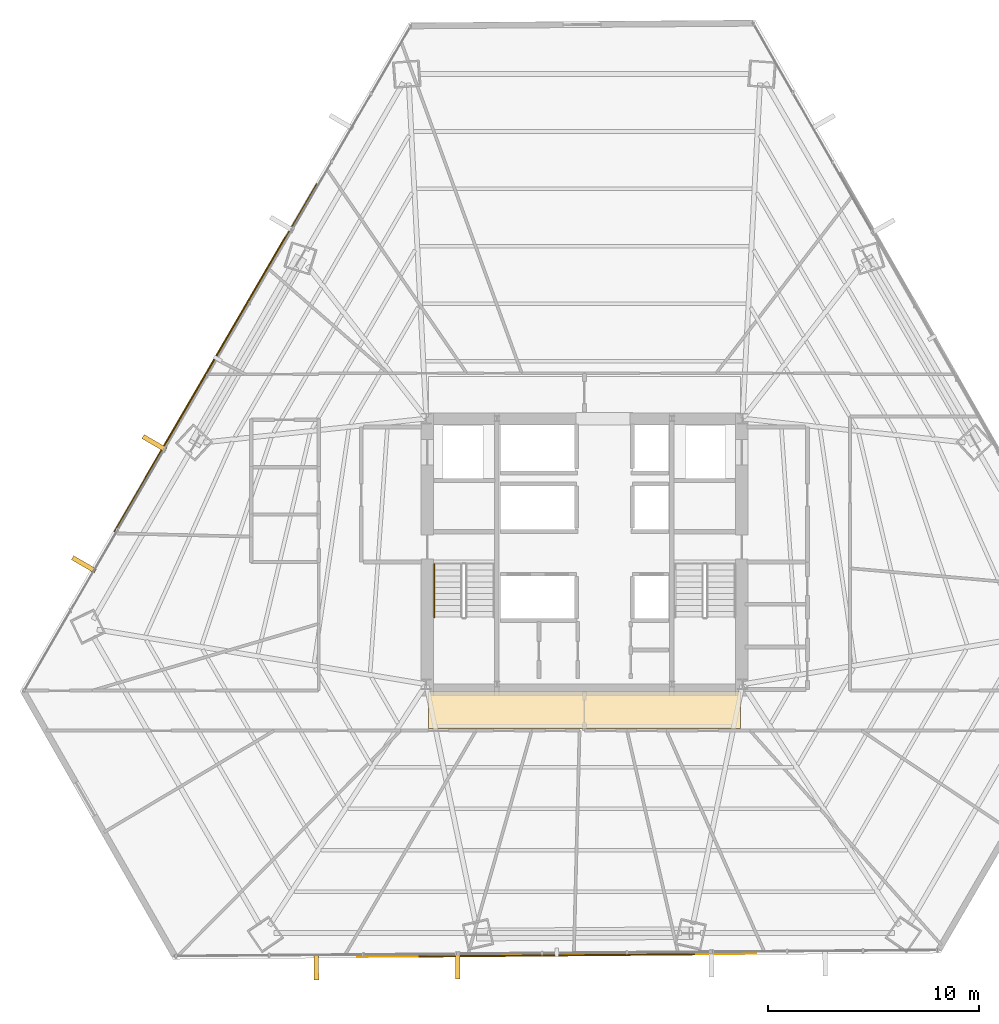
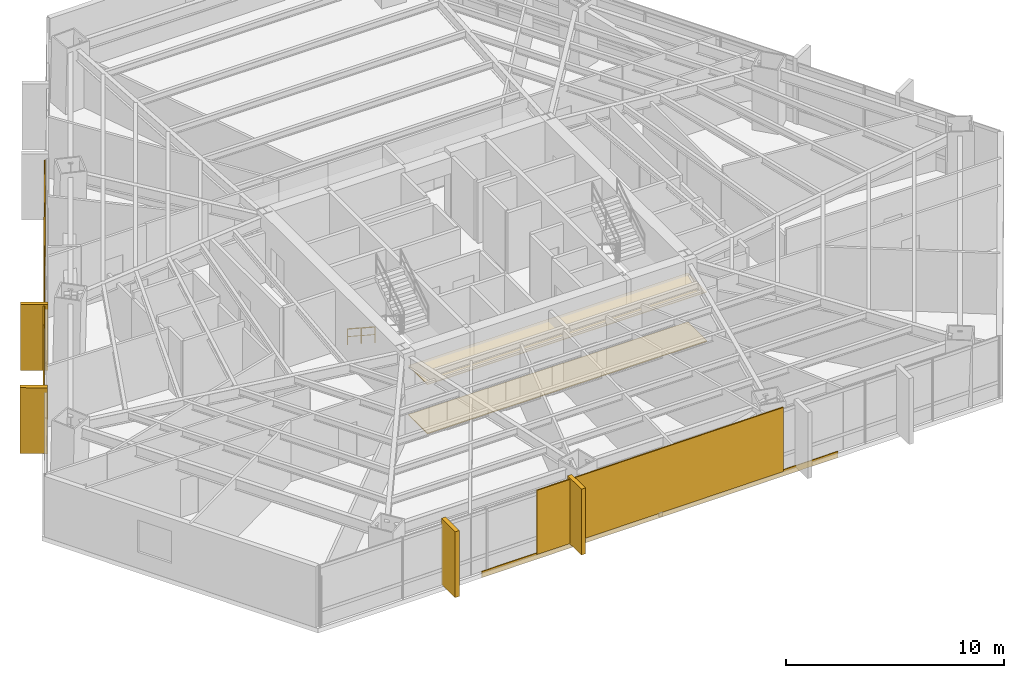
# One storey, part 34 of 36: 8 coverings, 2 shading devices, 1 railing.
"""IFC4 building model written with IfcOpenShell, lengths in metres."""

from ifc_helpers import new_model, si_unit, direction, frame, origin, origin_2d, place, context, subcontext, project, spatial, polyline, rectangle, outline, extrude, source, transform, mapped, material, layer, layer_set, type_object, type_shapes, element, save


model = new_model("IFC4")

# Units and contexts
model_context = context("Model", 3, precision=1e-05, world=origin(), true_north=direction((0.0, 1.0)))
body_context = subcontext(model_context, "Body", "Model", "MODEL_VIEW")
ifc_project = project(units=[si_unit("LENGTHUNIT", "METRE"), si_unit("AREAUNIT", "SQUARE_METRE"), si_unit("VOLUMEUNIT", "CUBIC_METRE"), si_unit("PLANEANGLEUNIT", "RADIAN"), si_unit("MASSUNIT", "GRAM", prefix="KILO")], contexts=[model_context])

# Site, building, storey
site_placement = place(None, origin())
site = spatial("IfcSite", under=ifc_project, at=site_placement, CompositionType="ELEMENT")
building_placement = place(site_placement, origin())
building = spatial("IfcBuilding", under=site, at=building_placement, Name="Caelisora Broadcast Tower", CompositionType="ELEMENT")
storey_placement = place(building_placement, frame((0.0, 0.0, 64.10009765625)))
storey = spatial("IfcBuildingStorey", under=building, at=storey_placement, Name="L16", CompositionType="ELEMENT", Elevation=64.10009765625)

# Coverings
ifc_material_1 = material(Name="Perforated Mineral-Fibre Acoustic Ceiling Tile", Category="gypsum")
ifc_layer_1 = layer(ifc_material_1, 0.034912109375, Name="Perforated Mineral-Fibre Acoustic Ceiling Tile")
ifc_layer_set_1 = layer_set([ifc_layer_1], Name="Perforated Mineral-Fibre Acoustic Ceiling Tile")
covering_type_1 = type_object("IfcCoveringType", Name="CE-1", PredefinedType="CEILING", material=ifc_layer_set_1)
covering_1_placement = place(storey_placement, frame((0.0, 0.0, 2.75)))
element("IfcCovering", 1, at=covering_1_placement, inside=storey, type_object=covering_type_1, Name="L16 acoustic corridor ceiling CE-1 (S)", PredefinedType="CEILING", context=body_context, shape_type="SweptSolid", body=[
    extrude(outline(polyline([(30.60009765625, 15.300048828125), (45.39990234375, 15.300048828125), (45.39990234375, 17.050048828125), (30.60009765625, 17.050048828125), (30.60009765625, 15.300048828125)])), origin(), (0.0, 0.0, 1.0), 0.034912109375),
])
ifc_material_2 = material(Name="Anti-Static Broadcast Raised Access Floor Panel", Category="steel")
ifc_layer_2 = layer(ifc_material_2, 0.044921875, Name="Anti-Static Broadcast Raised Access Floor Panel")
ifc_layer_set_2 = layer_set([ifc_layer_2], Name="Anti-Static Broadcast Raised Access Floor Panel")
covering_type_2 = type_object("IfcCoveringType", Name="FL-1", PredefinedType="FLOORING", material=ifc_layer_set_2)
covering_2_placement = place(storey_placement, origin())
element("IfcCovering", 2, at=covering_2_placement, inside=storey, type_object=covering_type_2, Name="L16 broadcast raised access floor FL-1 (S)", PredefinedType="FLOORING", context=body_context, shape_type="SweptSolid", body=[
    extrude(outline(polyline([(30.60009765625, 15.300048828125), (45.39990234375, 15.300048828125), (45.39990234375, 17.050048828125), (30.60009765625, 17.050048828125), (30.60009765625, 15.300048828125)])), origin(), (0.0, 0.0, 1.0), 0.044921875),
])

# Railing
ifc_material_3 = material(Name="Stainless Steel Grade 316 Tubular Handrail", Category="steel")
ifc_layer_3 = layer(ifc_material_3, 0.048095703125, Name="Stainless Steel Grade 316 Tubular Handrail")
ifc_layer_set_3 = layer_set([ifc_layer_3], Name="Stainless Steel Grade 316 Tubular Handrail")
railing_type = type_object("IfcRailingType", Name="HR-1", PredefinedType="HANDRAIL", material=ifc_layer_set_3)
railing_placement = place(storey_placement, frame((30.8701171875, 23.10009765625, 0.182373046875)))
element("IfcRailing", 3, at=railing_placement, inside=storey, type_object=railing_type, Name="L16 ST-1 stair handrail 1", PredefinedType="HANDRAIL", context=body_context, shape_type="SweptSolid", body=[
    extrude(rectangle(XDim=0.048095703125, YDim=0.048095703125, at=origin_2d()), frame((0.0, 0.0, 0.8759765625), z_axis=(0.0, -0.837749427056, 0.546054848405), x_axis=(1.0, 0.0, 0.0)), (0.0, 0.0, 1.0), 3.008056640625),
    extrude(rectangle(XDim=0.03125, YDim=0.03125, at=origin_2d()), frame((0.0, 0.0, 0.449951171875), z_axis=(0.0, -0.837749427056, 0.546054848405), x_axis=(1.0, 0.0, 0.0)), (0.0, 0.0, 1.0), 3.008056640625),
    extrude(rectangle(XDim=0.0419921875, YDim=0.0419921875, at=origin_2d()), origin(), (0.0, 0.0, 1.0), 0.851806640625),
    extrude(rectangle(XDim=0.0419921875, YDim=0.0419921875, at=origin_2d()), frame((0.0, -1.260009765625, 0.8212890625)), (0.0, 0.0, 1.0), 0.851806640625),
    extrude(rectangle(XDim=0.0419921875, YDim=0.0419921875, at=origin_2d()), frame((0.0, -2.52001953125, 1.642578125)), (0.0, 0.0, 1.0), 0.851806640625),
])

# Coverings
ifc_material_4 = material(Name="Kiln-Fired Terracotta Spandrel Rainscreen Cladding", Category="ceramic")
ifc_layer_4 = layer(ifc_material_4, 0.044921875, Name="Kiln-Fired Terracotta Spandrel Rainscreen Cladding")
ifc_layer_set_4 = layer_set([ifc_layer_4], Name="Kiln-Fired Terracotta Spandrel Rainscreen Cladding")
covering_type_3 = type_object("IfcCoveringType", Name="CL-1", PredefinedType="CLADDING", material=ifc_layer_set_4)
shared_shape_1 = source(origin(), body_context, "Body", "SweptSolid", [
    extrude(rectangle(XDim=0.219970703125, YDim=1.25, at=origin_2d()), origin(), (0.0, 0.0, 1.0), 3.68994140625),
])
for number, where, z_axis, x_axis, name in (
    (4, (31.995361328125, 4.0498046875, -0.02001953125), (0.0, 0.0, 1.0), (-0.99996777165, -0.00802842831, 0.0), "L16 vertical solar fin cladding #2-3"),
    (5, (25.286865234375, 3.996337890625, -0.02001953125), (0.0, 0.0, 1.0), (-0.99996777165, -0.00802842831, 0.0), "L16 vertical solar fin cladding #2-4"),
    (6, (14.260498046875, 23.088134765625, -0.02001953125), (0.0, 0.0, 1.0), (0.50286909456, 0.864362582332, 0.0), "L16 vertical solar fin cladding #3-1"),
    (7, (17.60400390625, 28.834716796875, -0.02001953125), (0.0, 0.0, 1.0), (0.50286909456, 0.864362582332, 0.0), "L16 vertical solar fin cladding #3-2"),
):
    element("IfcCovering", number, at=place(storey_placement, frame(where, z_axis=z_axis, x_axis=x_axis)), inside=storey, type_object=covering_type_3, Name=name, PredefinedType="CLADDING", context=body_context, shape_type="MappedRepresentation", body=[
        mapped(shared_shape_1, transform((0.0, 0.0, 0.0), scale=1.0)),
    ])

# Shading device
ifc_material_5 = material(Name="Perforated Glazed Terracotta Baguette Solar Screen", Category="ceramic")
ifc_layer_5 = layer(ifc_material_5, 0.06494140625, Name="Perforated Glazed Terracotta Baguette Solar Screen")
ifc_layer_set_5 = layer_set([ifc_layer_5], Name="Perforated Glazed Terracotta Baguette Solar Screen")
shading_device_type = type_object("IfcShadingDeviceType", Name="SS-1", PredefinedType="USERDEFINED", material=ifc_layer_set_5)
shared_shape_2 = source(origin(), body_context, "Body", "SweptSolid", [
    extrude(rectangle(XDim=13.2099609375, YDim=0.06494140625, at=origin_2d()), origin(), (0.0, 0.0, 1.0), 3.590087890625),
])
shading_device_1_placement = place(storey_placement, frame((20.489013671875, 32.89892578125, 0.0), z_axis=(0.0, 0.0, 1.0), x_axis=(-0.50286909456, -0.864362582332, 0.0)))
element("IfcShadingDevice", 8, at=shading_device_1_placement, inside=storey, type_object=shading_device_type, Name="L16 perforated terracotta solar screen #1", ObjectType="SOLAR SCREEN", PredefinedType="USERDEFINED", context=body_context, shape_type="MappedRepresentation", body=[
    mapped(shared_shape_2, transform((0.0, 0.0, 0.0), scale=1.0)),
])

# Covering
shared_shape_3 = source(origin(), body_context, "Body", "SweptSolid", [
    extrude(rectangle(XDim=19.0810546875, YDim=0.044921875, at=origin_2d()), origin(), (0.0, 0.0, 1.0), 0.340087890625),
])
covering_3_placement = place(storey_placement, frame((20.50634765625, 32.888916015625, -0.27001953125), z_axis=(0.0, 0.0, 1.0), x_axis=(-0.50286909456, -0.864362582332, 0.0)))
element("IfcCovering", 9, at=covering_3_placement, inside=storey, type_object=covering_type_3, Name="L16 terracotta spandrel rainscreen #1", PredefinedType="CLADDING", context=body_context, shape_type="MappedRepresentation", body=[
    mapped(shared_shape_3, transform((0.0, 0.0, 0.0), scale=1.0)),
])

# Shading device
shared_shape_4 = source(origin(), body_context, "Body", "SweptSolid", [
    extrude(rectangle(XDim=13.10498046875, YDim=0.06494140625, at=origin_2d()), origin(), (0.0, 0.0, 1.0), 3.590087890625),
])
type_shapes(shading_device_type, [shared_shape_2, shared_shape_4])
shading_device_2_placement = place(storey_placement, frame((36.688232421875, 4.537109375, 0.0), z_axis=(0.0, 0.0, 1.0), x_axis=(0.99996777165, 0.00802842831, 0.0)))
element("IfcShadingDevice", 10, at=shading_device_2_placement, inside=storey, type_object=shading_device_type, Name="L16 perforated terracotta solar screen #2", ObjectType="SOLAR SCREEN", PredefinedType="USERDEFINED", context=body_context, shape_type="MappedRepresentation", body=[
    mapped(shared_shape_4, transform((0.0, 0.0, 0.0), scale=1.0)),
])

# Covering
shared_shape_5 = source(origin(), body_context, "Body", "SweptSolid", [
    extrude(rectangle(XDim=18.929931640625, YDim=0.044921875, at=origin_2d()), origin(), (0.0, 0.0, 1.0), 0.340087890625),
])
type_shapes(covering_type_3, [shared_shape_1, shared_shape_3, shared_shape_5])
covering_4_placement = place(storey_placement, frame((36.68798828125, 4.556884765625, -0.27001953125), z_axis=(0.0, 0.0, 1.0), x_axis=(0.99996777165, 0.00802842831, 0.0)))
element("IfcCovering", 11, at=covering_4_placement, inside=storey, type_object=covering_type_3, Name="L16 terracotta spandrel rainscreen #2", PredefinedType="CLADDING", context=body_context, shape_type="MappedRepresentation", body=[
    mapped(shared_shape_5, transform((0.0, 0.0, 0.0), scale=1.0)),
])

save(model, "model.ifc")
